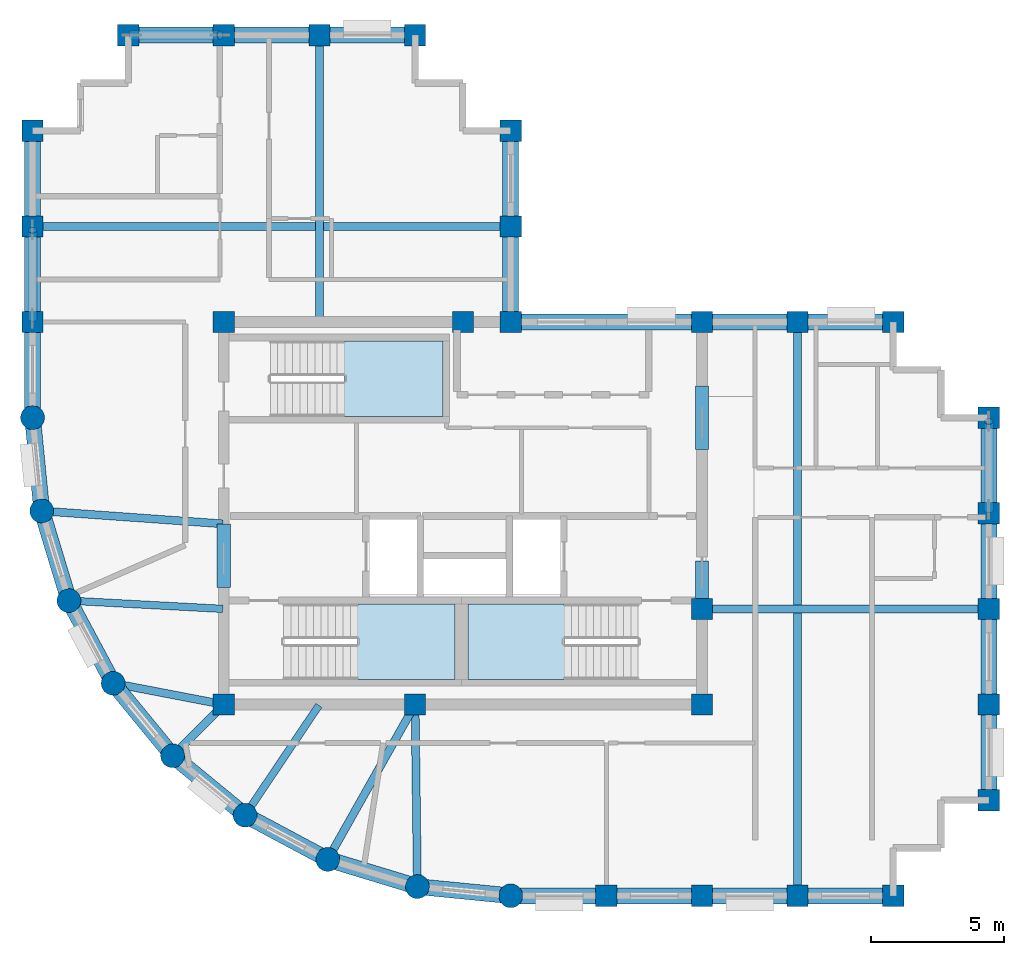
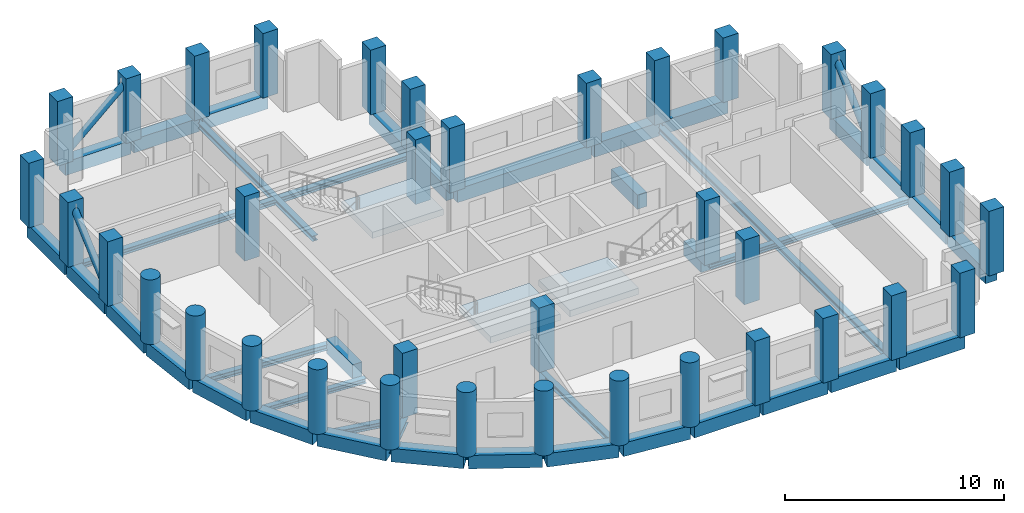
# One storey, part 1 of 7: 41 beams, 37 columns, 3 members, 3 slabs, 3 elements without a shape of their own.
"""IFC4 building model written with IfcOpenShell, lengths in metres."""

from ifc_helpers import new_model, si_unit, direction, frame, origin, origin_2d, place, context, subcontext, project, spatial, polyline, rectangle, circle, hollow_circle, i_section, outline, extrude, material, layer, layer_set, material_profile, profile_set, type_object, element, aggregate, save


model = new_model("IFC4")

# Units and contexts
model_context = context("Model", 3, precision=1e-05, world=origin(), true_north=direction((0.0, 1.0)))
body_context = subcontext(model_context, "Body", "Model", "MODEL_VIEW")
ifc_project = project(units=[si_unit("LENGTHUNIT", "METRE"), si_unit("AREAUNIT", "SQUARE_METRE"), si_unit("VOLUMEUNIT", "CUBIC_METRE"), si_unit("PLANEANGLEUNIT", "RADIAN"), si_unit("MASSUNIT", "GRAM", prefix="KILO")], contexts=[model_context])

# Site, building, storey
site_placement = place(None, origin())
site = spatial("IfcSite", under=ifc_project, at=site_placement, CompositionType="ELEMENT")
building_placement = place(site_placement, origin())
building = spatial("IfcBuilding", under=site, at=building_placement, Name="Solnavia Interchange Tower", CompositionType="ELEMENT")
storey_placement = place(building_placement, frame((0.0, 0.0, 235.39990234375)))
storey = spatial("IfcBuildingStorey", under=building, at=storey_placement, Name="L59", CompositionType="ELEMENT", Elevation=235.39990234375)

# Columns
ifc_material_1 = material(Name="Concrete C50/60", Category="concrete")
ifc_material_profile_1 = material_profile(ifc_material_1, rectangle(XDim=0.800048828125, YDim=0.800048828125, at=origin_2d()), Name="RC 800x800")
ifc_profile_set_1 = profile_set([ifc_material_profile_1], Name="Concrete C50/60")
column_type_1 = type_object("IfcColumnType", Name="Col-RC-800x800", PredefinedType="COLUMN", material=ifc_profile_set_1)
for number, where, z_axis, x_axis, name in (
    (1, (7.199951171875, 25.199951171875, 0.0), (0.0, 0.0, 1.0), (0.0, 1.0, 0.0), "COL-L59-02 Tower perim y column"),
    (2, (7.199951171875, 28.800048828125, 0.0), (0.0, 0.0, 1.0), (0.0, 1.0, 0.0), "COL-L59-03 Tower perim y column"),
    (3, (7.199951171875, 32.39990234375, 0.0), (0.0, 0.0, 1.0), (0.0, 1.0, 0.0), "COL-L59-04 Tower corner column"),
    (4, (10.800048828125, 36.0, 0.0), (0.0, 0.0, 1.0), (1.0, 0.0, 0.0), "COL-L59-08 Tower corner column"),
    (5, (14.39990234375, 10.800048828125, 0.0), (0.0, 0.0, 1.0), (1.0, 0.0, 0.0), "COL-L59-10 Tower interior column"),
    (6, (14.39990234375, 25.199951171875, 0.0), (0.0, 0.0, 1.0), (1.0, 0.0, 0.0), "COL-L59-11 Tower interior column"),
    (7, (14.39990234375, 36.0, 0.0), (0.0, 0.0, 1.0), (1.0, 0.0, 0.0), "COL-L59-12 Tower perim x column"),
    (8, (18.0, 36.0, 0.0), (0.0, 0.0, 1.0), (1.0, 0.0, 0.0), "COL-L59-14 Tower perim x column"),
    (9, (21.60009765625, 10.800048828125, 0.0), (0.0, 0.0, 1.0), (1.0, 0.0, 0.0), "COL-L59-16 Tower interior column"),
    (10, (21.60009765625, 36.0, 0.0), (0.0, 0.0, 1.0), (1.0, 0.0, 0.0), "COL-L59-17 Tower corner column"),
    (11, (23.39990234375, 25.199951171875, 0.0), (0.0, 0.0, 1.0), (1.0, 0.0, 0.0), "COL-L59-19 Tower interior column"),
    (12, (25.199951171875, 25.199951171875, 0.0), (0.0, 0.0, 1.0), (1.0, 0.0, 0.0), "COL-L59-21 Tower interior column"),
    (13, (25.199951171875, 28.800048828125, 0.0), (0.0, 0.0, 1.0), (0.0, 1.0, 0.0), "COL-L59-22 Tower perim y column"),
    (14, (25.199951171875, 32.39990234375, 0.0), (0.0, 0.0, 1.0), (0.0, 1.0, 0.0), "COL-L59-23 Tower corner column"),
    (15, (28.800048828125, 3.60009765625, 0.0), (0.0, 0.0, 1.0), (1.0, 0.0, 0.0), "COL-L59-24 Tower perim x column"),
    (16, (32.39990234375, 3.60009765625, 0.0), (0.0, 0.0, 1.0), (1.0, 0.0, 0.0), "COL-L59-25 Tower perim x column"),
    (17, (32.39990234375, 10.800048828125, 0.0), (0.0, 0.0, 1.0), (1.0, 0.0, 0.0), "COL-L59-26 Tower interior column"),
    (18, (32.39990234375, 14.39990234375, 0.0), (0.0, 0.0, 1.0), (1.0, 0.0, 0.0), "COL-L59-27 Tower interior column"),
    (19, (32.39990234375, 25.199951171875, 0.0), (0.0, 0.0, 1.0), (1.0, 0.0, 0.0), "COL-L59-28 Tower interior column"),
    (20, (36.0, 3.60009765625, 0.0), (0.0, 0.0, 1.0), (1.0, 0.0, 0.0), "COL-L59-29 Tower perim x column"),
    (21, (36.0, 25.199951171875, 0.0), (0.0, 0.0, 1.0), (1.0, 0.0, 0.0), "COL-L59-30 Tower perim x column"),
    (22, (39.60009765625, 3.60009765625, 0.0), (0.0, 0.0, 1.0), (1.0, 0.0, 0.0), "COL-L59-31 Tower corner column"),
    (23, (39.60009765625, 25.199951171875, 0.0), (0.0, 0.0, 1.0), (1.0, 0.0, 0.0), "COL-L59-32 Tower corner column"),
    (24, (43.199951171875, 7.199951171875, 0.0), (0.0, 0.0, 1.0), (1.0, 0.0, 0.0), "COL-L59-33 Tower corner column"),
    (25, (43.199951171875, 10.800048828125, 0.0), (0.0, 0.0, 1.0), (0.0, 1.0, 0.0), "COL-L59-34 Tower perim y column"),
    (26, (43.199951171875, 14.39990234375, 0.0), (0.0, 0.0, 1.0), (0.0, 1.0, 0.0), "COL-L59-35 Tower perim y column"),
    (27, (43.199951171875, 18.0, 0.0), (0.0, 0.0, 1.0), (0.0, 1.0, 0.0), "COL-L59-36 Tower perim y column"),
    (28, (43.199951171875, 21.60009765625, 0.0), (0.0, 0.0, 1.0), (0.0, 1.0, 0.0), "COL-L59-37 Tower corner column"),
):
    element("IfcColumn", number, at=place(storey_placement, frame(where, z_axis=z_axis, x_axis=x_axis)), inside=storey, type_object=column_type_1, Name=name, PredefinedType="COLUMN", context=body_context, shape_type="SweptSolid", body=[
        extrude(rectangle(XDim=0.800048828125, YDim=0.800048828125, at=origin_2d()), origin(), (0.0, 0.0, 1.0), 3.60009765625),
    ])
ifc_material_profile_2 = material_profile(ifc_material_1, circle(Radius=0.449951171875, at=origin_2d()), Name="RC D900")
ifc_profile_set_2 = profile_set([ifc_material_profile_2], Name="Concrete C50/60")
column_type_2 = type_object("IfcColumnType", Name="Col-RC-D900", PredefinedType="COLUMN", material=ifc_profile_set_2)
for number, where, z_axis, x_axis, name in (
    (29, (7.199951171875, 21.60009765625, 0.0), (0.0, 0.0, 1.0), (1.0, 0.0, 0.0), "COL-L59-01 Tower drum column"),
    (30, (7.5458984375, 18.087890625, 0.0), (0.0, 0.0, 1.0), (1.0, 0.0, 0.0), "COL-L59-05 Tower drum column"),
    (31, (8.570068359375, 14.7119140625, 0.0), (0.0, 0.0, 1.0), (1.0, 0.0, 0.0), "COL-L59-06 Tower drum column"),
    (32, (10.23388671875, 11.60009765625, 0.0), (0.0, 0.0, 1.0), (1.0, 0.0, 0.0), "COL-L59-07 Tower drum column"),
    (33, (12.471923828125, 8.8720703125, 0.0), (0.0, 0.0, 1.0), (1.0, 0.0, 0.0), "COL-L59-09 Tower drum column"),
    (34, (15.199951171875, 6.634033203125, 0.0), (0.0, 0.0, 1.0), (1.0, 0.0, 0.0), "COL-L59-13 Tower drum column"),
    (35, (18.31201171875, 4.969970703125, 0.0), (0.0, 0.0, 1.0), (1.0, 0.0, 0.0), "COL-L59-15 Tower drum column"),
    (36, (21.68798828125, 3.946044921875, 0.0), (0.0, 0.0, 1.0), (1.0, 0.0, 0.0), "COL-L59-18 Tower drum column"),
    (37, (25.199951171875, 3.60009765625, 0.0), (0.0, 0.0, 1.0), (1.0, 0.0, 0.0), "COL-L59-20 Tower drum column"),
):
    element("IfcColumn", number, at=place(storey_placement, frame(where, z_axis=z_axis, x_axis=x_axis)), inside=storey, type_object=column_type_2, Name=name, PredefinedType="COLUMN", context=body_context, shape_type="SweptSolid", body=[
        extrude(circle(Radius=0.449951171875, at=origin_2d()), origin(), (0.0, 0.0, 1.0), 3.60009765625),
    ])

# Beams
ifc_material_profile_3 = material_profile(ifc_material_1, rectangle(XDim=0.5, YDim=0.800048828125, at=origin_2d()), Name="RC 500x800")
ifc_profile_set_3 = profile_set([ifc_material_profile_3], Name="Concrete C50/60")
beam_type_1 = type_object("IfcBeamType", Name="Beam-Coupling-RC500x800", PredefinedType="LINTEL", material=ifc_profile_set_3)
beam_1_placement = place(storey_placement, frame((14.39990234375, 15.199951171875, -0.39990234375), z_axis=(0.0, 1.0, 0.0), x_axis=(-1.0, 0.0, 0.0)))
element("IfcBeam", 38, at=beam_1_placement, inside=storey, type_object=beam_type_1, Name="CPB-L59-W1 Core coupling lintel beam", PredefinedType="LINTEL", context=body_context, shape_type="SweptSolid", body=[
    extrude(rectangle(XDim=0.5, YDim=0.800048828125, at=origin_2d()), origin(), (0.0, 0.0, 1.0), 2.400146484375),
])
beam_2_placement = place(storey_placement, frame((32.39990234375, 14.60009765625, -0.39990234375), z_axis=(0.0, 1.0, 0.0), x_axis=(-1.0, 0.0, 0.0)))
element("IfcBeam", 39, at=beam_2_placement, inside=storey, type_object=beam_type_1, Name="CPB-L59-E1 Core coupling lintel beam", PredefinedType="LINTEL", context=body_context, shape_type="SweptSolid", body=[
    extrude(rectangle(XDim=0.5, YDim=0.800048828125, at=origin_2d()), origin(), (0.0, 0.0, 1.0), 1.599853515625),
])
beam_3_placement = place(storey_placement, frame((32.39990234375, 20.39990234375, -0.39990234375), z_axis=(0.0, 1.0, 0.0), x_axis=(-1.0, 0.0, 0.0)))
element("IfcBeam", 40, at=beam_3_placement, inside=storey, type_object=beam_type_1, Name="CPB-L59-E2 Core coupling lintel beam", PredefinedType="LINTEL", context=body_context, shape_type="SweptSolid", body=[
    extrude(rectangle(XDim=0.5, YDim=0.800048828125, at=origin_2d()), origin(), (0.0, 0.0, 1.0), 2.400146484375),
])
ifc_material_2 = material(Name="Steel S460", Category="steel")
ifc_material_profile_4 = material_profile(ifc_material_2, i_section(OverallWidth=0.300048828125, OverallDepth=0.300048828125, WebThickness=0.010986328125, FlangeThickness=0.01904296875, FilletRadius=0.027099609375, at=origin_2d()), Name="HEB 300")
ifc_profile_set_4 = profile_set([ifc_material_profile_4], Name="Steel S460")
beam_type_2 = type_object("IfcBeamType", Name="Beam-Girder-HEB300", PredefinedType="BEAM", material=ifc_profile_set_4)
beam_4_placement = place(storey_placement, frame((32.47998046875, 14.39990234375, -0.39990234375), z_axis=(1.0, 0.0, 0.0), x_axis=(0.0, 1.0, 0.0)))
element("IfcBeam", 41, at=beam_4_placement, inside=storey, type_object=beam_type_2, Name="GRD-L59-ES01 East wing spine girder", PredefinedType="BEAM", context=body_context, shape_type="SweptSolid", body=[
    extrude(i_section(OverallWidth=0.300048828125, OverallDepth=0.300048828125, WebThickness=0.010986328125, FlangeThickness=0.01904296875, FilletRadius=0.027099609375, at=origin_2d()), origin(), (0.0, 0.0, 1.0), 10.64013671875),
])
beam_5_placement = place(storey_placement, frame((18.0, 25.280029296875, -0.39990234375), z_axis=(0.0, 1.0, 0.0), x_axis=(-1.0, 0.0, 0.0)))
element("IfcBeam", 42, at=beam_5_placement, inside=storey, type_object=beam_type_2, Name="GRD-L59-NS03 North wing spine girder", PredefinedType="BEAM", context=body_context, shape_type="SweptSolid", body=[
    extrude(i_section(OverallWidth=0.300048828125, OverallDepth=0.300048828125, WebThickness=0.010986328125, FlangeThickness=0.01904296875, FilletRadius=0.027099609375, at=origin_2d()), origin(), (0.0, 0.0, 1.0), 10.639892578125),
])
beam_6_placement = place(storey_placement, frame((7.280029296875, 28.800048828125, -0.39990234375), z_axis=(1.0, 0.0, 0.0), x_axis=(0.0, 1.0, 0.0)))
element("IfcBeam", 43, at=beam_6_placement, inside=storey, type_object=beam_type_2, Name="GRD-L59-NW04 North wing primary floor girder", PredefinedType="BEAM", context=body_context, shape_type="SweptSolid", body=[
    extrude(i_section(OverallWidth=0.300048828125, OverallDepth=0.300048828125, WebThickness=0.010986328125, FlangeThickness=0.01904296875, FilletRadius=0.027099609375, at=origin_2d()), origin(), (0.0, 0.0, 1.0), 17.840087890625),
])
beam_7_placement = place(storey_placement, frame((10.3125, 11.5849609375, -0.39990234375), z_axis=(0.982057527796, -0.188581579428, 0.0), x_axis=(0.188581579428, 0.982057527796, 0.0)))
element("IfcBeam", 44, at=beam_7_placement, inside=storey, type_object=beam_type_2, Name="GRD-L59-DR07 Drum radial floor girder", PredefinedType="BEAM", context=body_context, shape_type="SweptSolid", body=[
    extrude(i_section(OverallWidth=0.300048828125, OverallDepth=0.300048828125, WebThickness=0.010986328125, FlangeThickness=0.01904296875, FilletRadius=0.027099609375, at=origin_2d()), origin(), (0.0, 0.0, 1.0), 4.1220703125),
])
beam_8_placement = place(storey_placement, frame((18.351318359375, 5.039794921875, -0.39990234375), z_axis=(0.491243158486, 0.871022479182, 0.0), x_axis=(-0.871022479182, 0.491243158486, 0.0)))
element("IfcBeam", 45, at=beam_8_placement, inside=storey, type_object=beam_type_2, Name="GRD-L59-DR10 Drum radial floor girder", PredefinedType="BEAM", context=body_context, shape_type="SweptSolid", body=[
    extrude(i_section(OverallWidth=0.300048828125, OverallDepth=0.300048828125, WebThickness=0.010986328125, FlangeThickness=0.01904296875, FilletRadius=0.027099609375, at=origin_2d()), origin(), (0.0, 0.0, 1.0), 6.5732421875),
])
ifc_material_3 = material(Name="Steel S355", Category="steel")
ifc_material_profile_5 = material_profile(ifc_material_3, i_section(OverallWidth=0.280029296875, OverallDepth=0.27001953125, WebThickness=0.008056640625, FlangeThickness=0.012939453125, FilletRadius=0.02392578125, at=origin_2d()), Name="HEA 280")
ifc_profile_set_5 = profile_set([ifc_material_profile_5], Name="Steel S355")
beam_type_3 = type_object("IfcBeamType", Name="Beam-Primary-HEA280", PredefinedType="BEAM", material=ifc_profile_set_5)
beam_9_placement = place(storey_placement, frame((8.64990234375, 14.707763671875, -0.385009765625), z_axis=(0.998570371303, -0.053452909696, 0.0), x_axis=(0.053452909696, 0.998570371303, 0.0)))
element("IfcBeam", 46, at=beam_9_placement, inside=storey, type_object=beam_type_3, Name="GRD-L59-DR06 Drum radial floor girder", PredefinedType="BEAM", context=body_context, shape_type="SweptSolid", body=[
    extrude(i_section(OverallWidth=0.280029296875, OverallDepth=0.27001953125, WebThickness=0.008056640625, FlangeThickness=0.012939453125, FilletRadius=0.02392578125, at=origin_2d()), origin(), (0.0, 0.0, 1.0), 5.71826171875),
])
beam_10_placement = place(storey_placement, frame((15.24462890625, 6.700439453125, -0.385009765625), z_axis=(0.557835474219, 0.829951555033, 0.0), x_axis=(-0.829951555033, 0.557835474219, 0.0)))
element("IfcBeam", 47, at=beam_10_placement, inside=storey, type_object=beam_type_3, Name="GRD-L59-DR09 Drum radial floor girder", PredefinedType="BEAM", context=body_context, shape_type="SweptSolid", body=[
    extrude(i_section(OverallWidth=0.280029296875, OverallDepth=0.27001953125, WebThickness=0.008056640625, FlangeThickness=0.012939453125, FilletRadius=0.02392578125, at=origin_2d()), origin(), (0.0, 0.0, 1.0), 4.899658203125),
])
ifc_material_profile_6 = material_profile(ifc_material_3, i_section(OverallWidth=0.300048828125, OverallDepth=0.31005859375, WebThickness=0.009033203125, FlangeThickness=0.015380859375, FilletRadius=0.027099609375, at=origin_2d()), Name="HEA 320")
ifc_profile_set_6 = profile_set([ifc_material_profile_6], Name="Steel S355")
beam_type_4 = type_object("IfcBeamType", Name="Beam-Primary-HEA320", PredefinedType="BEAM", material=ifc_profile_set_6)
beam_11_placement = place(storey_placement, frame((36.0, 3.679931640625, -0.40478515625), z_axis=(0.0, 1.0, 0.0), x_axis=(-1.0, 0.0, 0.0)))
element("IfcBeam", 48, at=beam_11_placement, inside=storey, type_object=beam_type_4, Name="GRD-L59-EW02 East wing primary floor girder", PredefinedType="BEAM", context=body_context, shape_type="SweptSolid", body=[
    extrude(i_section(OverallWidth=0.300048828125, OverallDepth=0.31005859375, WebThickness=0.009033203125, FlangeThickness=0.015380859375, FilletRadius=0.027099609375, at=origin_2d()), origin(), (0.0, 0.0, 1.0), 21.440185546875),
])
beam_12_placement = place(storey_placement, frame((7.625732421875, 18.082275390625, -0.40478515625), z_axis=(0.99747482749, -0.071020902015, 0.0), x_axis=(0.071020902015, 0.99747482749, 0.0)))
element("IfcBeam", 49, at=beam_12_placement, inside=storey, type_object=beam_type_4, Name="GRD-L59-DR05 Drum radial floor girder", PredefinedType="BEAM", context=body_context, shape_type="SweptSolid", body=[
    extrude(i_section(OverallWidth=0.300048828125, OverallDepth=0.31005859375, WebThickness=0.009033203125, FlangeThickness=0.015380859375, FilletRadius=0.027099609375, at=origin_2d()), origin(), (0.0, 0.0, 1.0), 6.75146484375),
])
beam_13_placement = place(storey_placement, frame((12.528564453125, 8.9287109375, -0.40478515625), z_axis=(0.707106781187, 0.707106781187, 0.0), x_axis=(-0.707106781187, 0.707106781187, 0.0)))
element("IfcBeam", 50, at=beam_13_placement, inside=storey, type_object=beam_type_4, Name="GRD-L59-DR08 Drum radial floor girder", PredefinedType="BEAM", context=body_context, shape_type="SweptSolid", body=[
    extrude(i_section(OverallWidth=0.300048828125, OverallDepth=0.31005859375, WebThickness=0.009033203125, FlangeThickness=0.015380859375, FilletRadius=0.027099609375, at=origin_2d()), origin(), (0.0, 0.0, 1.0), 2.6064453125),
])
beam_14_placement = place(storey_placement, frame((21.68701171875, 4.02587890625, -0.40478515625), z_axis=(-0.01283293513, 0.999917654498, 0.0), x_axis=(-0.999917654498, -0.01283293513, 0.0)))
element("IfcBeam", 51, at=beam_14_placement, inside=storey, type_object=beam_type_4, Name="GRD-L59-DR11 Drum radial floor girder", PredefinedType="BEAM", context=body_context, shape_type="SweptSolid", body=[
    extrude(i_section(OverallWidth=0.300048828125, OverallDepth=0.31005859375, WebThickness=0.009033203125, FlangeThickness=0.015380859375, FilletRadius=0.027099609375, at=origin_2d()), origin(), (0.0, 0.0, 1.0), 6.734619140625),
])
ifc_material_profile_7 = material_profile(ifc_material_1, rectangle(XDim=0.60009765625, YDim=0.75, at=origin_2d()), Name="RC 600x750")
ifc_profile_set_7 = profile_set([ifc_material_profile_7], Name="Concrete C50/60")
beam_type_5 = type_object("IfcBeamType", Name="Beam-Spandrel-RC600x750", PredefinedType="SPANDREL", material=ifc_profile_set_7)
beam_15_placement = place(storey_placement, frame((7.207763671875, 21.5205078125, -0.375), z_axis=(0.098040038117, -0.995182471171, 0.0), x_axis=(0.995182471171, 0.098040038117, 0.0)))
element("IfcBeam", 52, at=beam_15_placement, inside=storey, type_object=beam_type_5, Name="SPB-L59-01 Framed-tube perimeter spandrel beam", PredefinedType="SPANDREL", context=body_context, shape_type="SweptSolid", body=[
    extrude(rectangle(XDim=0.60009765625, YDim=0.75, at=origin_2d()), origin(), (0.0, 0.0, 1.0), 3.369140625),
])
beam_16_placement = place(storey_placement, frame((7.569091796875, 18.011474609375, -0.375), z_axis=(0.290319223646, -0.956929855518, 0.0), x_axis=(0.956929855518, 0.290319223646, 0.0)))
element("IfcBeam", 53, at=beam_16_placement, inside=storey, type_object=beam_type_5, Name="SPB-L59-02 Framed-tube perimeter spandrel beam", PredefinedType="SPANDREL", context=body_context, shape_type="SweptSolid", body=[
    extrude(rectangle(XDim=0.60009765625, YDim=0.75, at=origin_2d()), origin(), (0.0, 0.0, 1.0), 3.367919921875),
])
beam_17_placement = place(storey_placement, frame((8.607666015625, 14.6416015625, -0.375), z_axis=(0.471509422952, -0.881861023102, 0.0), x_axis=(0.881861023102, 0.471509422952, 0.0)))
element("IfcBeam", 54, at=beam_17_placement, inside=storey, type_object=beam_type_5, Name="SPB-L59-03 Framed-tube perimeter spandrel beam", PredefinedType="SPANDREL", context=body_context, shape_type="SweptSolid", body=[
    extrude(rectangle(XDim=0.60009765625, YDim=0.75, at=origin_2d()), origin(), (0.0, 0.0, 1.0), 3.369140625),
])
for number, where, z_axis, x_axis, name in (
    (55, (10.28466796875, 11.5380859375, -0.375), (0.634298841675, -0.773087950656, 0.0), (0.773087950656, 0.634298841675, 0.0), "SPB-L59-04 Framed-tube perimeter spandrel beam"),
    (56, (12.53369140625, 8.8212890625, -0.375), (0.773152644452, -0.634219984214, 0.0), (0.634219984214, 0.773152644452, 0.0), "SPB-L59-05 Framed-tube perimeter spandrel beam"),
):
    element("IfcBeam", number, at=place(storey_placement, frame(where, z_axis=z_axis, x_axis=x_axis)), inside=storey, type_object=beam_type_5, Name=name, PredefinedType="SPANDREL", context=body_context, shape_type="SweptSolid", body=[
        extrude(rectangle(XDim=0.60009765625, YDim=0.75, at=origin_2d()), origin(), (0.0, 0.0, 1.0), 3.36865234375),
    ])
beam_18_placement = place(storey_placement, frame((15.2705078125, 6.59619140625, -0.375), z_axis=(0.881875044348, -0.47148319817, 0.0), x_axis=(0.47148319817, 0.881875044348, 0.0)))
element("IfcBeam", 57, at=beam_18_placement, inside=storey, type_object=beam_type_5, Name="SPB-L59-06 Framed-tube perimeter spandrel beam", PredefinedType="SPANDREL", context=body_context, shape_type="SweptSolid", body=[
    extrude(rectangle(XDim=0.60009765625, YDim=0.75, at=origin_2d()), origin(), (0.0, 0.0, 1.0), 3.368896484375),
])
beam_19_placement = place(storey_placement, frame((18.388671875, 4.94677734375, -0.375), z_axis=(0.956943884494, -0.290272978297, 0.0), x_axis=(0.290272978297, 0.956943884494, 0.0)))
element("IfcBeam", 58, at=beam_19_placement, inside=storey, type_object=beam_type_5, Name="SPB-L59-07 Framed-tube perimeter spandrel beam", PredefinedType="SPANDREL", context=body_context, shape_type="SweptSolid", body=[
    extrude(rectangle(XDim=0.60009765625, YDim=0.75, at=origin_2d()), origin(), (0.0, 0.0, 1.0), 3.36767578125),
])
beam_20_placement = place(storey_placement, frame((21.767578125, 3.938232421875, -0.375), z_axis=(0.995181774609, -0.098047108501, 0.0), x_axis=(0.098047108501, 0.995181774609, 0.0)))
element("IfcBeam", 59, at=beam_20_placement, inside=storey, type_object=beam_type_5, Name="SPB-L59-08 Framed-tube perimeter spandrel beam", PredefinedType="SPANDREL", context=body_context, shape_type="SweptSolid", body=[
    extrude(rectangle(XDim=0.60009765625, YDim=0.75, at=origin_2d()), origin(), (0.0, 0.0, 1.0), 3.368896484375),
])
beam_21_placement = place(storey_placement, frame((25.280029296875, 3.60009765625, -0.375), z_axis=(1.0, 0.0, 0.0), x_axis=(0.0, 1.0, 0.0)))
element("IfcBeam", 60, at=beam_21_placement, inside=storey, type_object=beam_type_5, Name="SPB-L59-09 Framed-tube perimeter spandrel beam", PredefinedType="SPANDREL", context=body_context, shape_type="SweptSolid", body=[
    extrude(rectangle(XDim=0.60009765625, YDim=0.75, at=origin_2d()), origin(), (0.0, 0.0, 1.0), 3.43994140625),
])
beam_22_placement = place(storey_placement, frame((28.8798828125, 3.60009765625, -0.375), z_axis=(1.0, 0.0, 0.0), x_axis=(0.0, 1.0, 0.0)))
element("IfcBeam", 61, at=beam_22_placement, inside=storey, type_object=beam_type_5, Name="SPB-L59-10 Framed-tube perimeter spandrel beam", PredefinedType="SPANDREL", context=body_context, shape_type="SweptSolid", body=[
    extrude(rectangle(XDim=0.60009765625, YDim=0.75, at=origin_2d()), origin(), (0.0, 0.0, 1.0), 3.440185546875),
])
for number, where, z_axis, x_axis, name in (
    (62, (32.47998046875, 3.60009765625, -0.375), (1.0, 0.0, 0.0), (0.0, 1.0, 0.0), "SPB-L59-11 Framed-tube perimeter spandrel beam"),
    (63, (36.080078125, 3.60009765625, -0.375), (1.0, 0.0, 0.0), (0.0, 1.0, 0.0), "SPB-L59-12 Framed-tube perimeter spandrel beam"),
    (64, (43.199951171875, 7.280029296875, -0.375), (0.0, 1.0, 0.0), (-1.0, 0.0, 0.0), "SPB-L59-13 Framed-tube perimeter spandrel beam"),
):
    element("IfcBeam", number, at=place(storey_placement, frame(where, z_axis=z_axis, x_axis=x_axis)), inside=storey, type_object=beam_type_5, Name=name, PredefinedType="SPANDREL", context=body_context, shape_type="SweptSolid", body=[
        extrude(rectangle(XDim=0.60009765625, YDim=0.75, at=origin_2d()), origin(), (0.0, 0.0, 1.0), 3.43994140625),
    ])
beam_23_placement = place(storey_placement, frame((43.199951171875, 10.8798828125, -0.375), z_axis=(0.0, 1.0, 0.0), x_axis=(-1.0, 0.0, 0.0)))
element("IfcBeam", 65, at=beam_23_placement, inside=storey, type_object=beam_type_5, Name="SPB-L59-14 Framed-tube perimeter spandrel beam", PredefinedType="SPANDREL", context=body_context, shape_type="SweptSolid", body=[
    extrude(rectangle(XDim=0.60009765625, YDim=0.75, at=origin_2d()), origin(), (0.0, 0.0, 1.0), 3.440185546875),
])
for number, where, z_axis, x_axis, name in (
    (66, (43.199951171875, 14.47998046875, -0.375), (0.0, 1.0, 0.0), (-1.0, 0.0, 0.0), "SPB-L59-15 Framed-tube perimeter spandrel beam"),
    (67, (43.199951171875, 18.080078125, -0.375), (0.0, 1.0, 0.0), (-1.0, 0.0, 0.0), "SPB-L59-16 Framed-tube perimeter spandrel beam"),
    (68, (39.52001953125, 25.199951171875, -0.375), (-1.0, 0.0, 0.0), (0.0, -1.0, 0.0), "SPB-L59-17 Framed-tube perimeter spandrel beam"),
    (69, (35.919921875, 25.199951171875, -0.375), (-1.0, 0.0, 0.0), (0.0, -1.0, 0.0), "SPB-L59-18 Framed-tube perimeter spandrel beam"),
):
    element("IfcBeam", number, at=place(storey_placement, frame(where, z_axis=z_axis, x_axis=x_axis)), inside=storey, type_object=beam_type_5, Name=name, PredefinedType="SPANDREL", context=body_context, shape_type="SweptSolid", body=[
        extrude(rectangle(XDim=0.60009765625, YDim=0.75, at=origin_2d()), origin(), (0.0, 0.0, 1.0), 3.43994140625),
    ])
beam_24_placement = place(storey_placement, frame((32.320068359375, 25.199951171875, -0.375), z_axis=(-1.0, 0.0, 0.0), x_axis=(0.0, -1.0, 0.0)))
element("IfcBeam", 70, at=beam_24_placement, inside=storey, type_object=beam_type_5, Name="SPB-L59-19 Framed-tube perimeter spandrel beam", PredefinedType="SPANDREL", context=body_context, shape_type="SweptSolid", body=[
    extrude(rectangle(XDim=0.60009765625, YDim=0.75, at=origin_2d()), origin(), (0.0, 0.0, 1.0), 7.0400390625),
])
beam_25_placement = place(storey_placement, frame((25.199951171875, 25.280029296875, -0.375), z_axis=(0.0, 1.0, 0.0), x_axis=(-1.0, 0.0, 0.0)))
element("IfcBeam", 71, at=beam_25_placement, inside=storey, type_object=beam_type_5, Name="SPB-L59-20 Framed-tube perimeter spandrel beam", PredefinedType="SPANDREL", context=body_context, shape_type="SweptSolid", body=[
    extrude(rectangle(XDim=0.60009765625, YDim=0.75, at=origin_2d()), origin(), (0.0, 0.0, 1.0), 3.43994140625),
])
beam_26_placement = place(storey_placement, frame((25.199951171875, 28.8798828125, -0.375), z_axis=(0.0, 1.0, 0.0), x_axis=(-1.0, 0.0, 0.0)))
element("IfcBeam", 72, at=beam_26_placement, inside=storey, type_object=beam_type_5, Name="SPB-L59-21 Framed-tube perimeter spandrel beam", PredefinedType="SPANDREL", context=body_context, shape_type="SweptSolid", body=[
    extrude(rectangle(XDim=0.60009765625, YDim=0.75, at=origin_2d()), origin(), (0.0, 0.0, 1.0), 3.440185546875),
])
for number, where, z_axis, x_axis, name in (
    (73, (21.52001953125, 36.0, -0.375), (-1.0, 0.0, 0.0), (0.0, -1.0, 0.0), "SPB-L59-22 Framed-tube perimeter spandrel beam"),
    (74, (17.919921875, 36.0, -0.375), (-1.0, 0.0, 0.0), (0.0, -1.0, 0.0), "SPB-L59-23 Framed-tube perimeter spandrel beam"),
):
    element("IfcBeam", number, at=place(storey_placement, frame(where, z_axis=z_axis, x_axis=x_axis)), inside=storey, type_object=beam_type_5, Name=name, PredefinedType="SPANDREL", context=body_context, shape_type="SweptSolid", body=[
        extrude(rectangle(XDim=0.60009765625, YDim=0.75, at=origin_2d()), origin(), (0.0, 0.0, 1.0), 3.43994140625),
    ])
for number, where, z_axis, x_axis, name in (
    (75, (14.320068359375, 36.0, -0.375), (-1.0, 0.0, 0.0), (0.0, -1.0, 0.0), "SPB-L59-24 Framed-tube perimeter spandrel beam"),
    (76, (7.199951171875, 32.320068359375, -0.375), (0.0, -1.0, 0.0), (1.0, 0.0, 0.0), "SPB-L59-25 Framed-tube perimeter spandrel beam"),
):
    element("IfcBeam", number, at=place(storey_placement, frame(where, z_axis=z_axis, x_axis=x_axis)), inside=storey, type_object=beam_type_5, Name=name, PredefinedType="SPANDREL", context=body_context, shape_type="SweptSolid", body=[
        extrude(rectangle(XDim=0.60009765625, YDim=0.75, at=origin_2d()), origin(), (0.0, 0.0, 1.0), 3.440185546875),
    ])
beam_27_placement = place(storey_placement, frame((7.199951171875, 28.719970703125, -0.375), z_axis=(0.0, -1.0, 0.0), x_axis=(1.0, 0.0, 0.0)))
element("IfcBeam", 77, at=beam_27_placement, inside=storey, type_object=beam_type_5, Name="SPB-L59-26 Framed-tube perimeter spandrel beam", PredefinedType="SPANDREL", context=body_context, shape_type="SweptSolid", body=[
    extrude(rectangle(XDim=0.60009765625, YDim=0.75, at=origin_2d()), origin(), (0.0, 0.0, 1.0), 3.43994140625),
])
beam_28_placement = place(storey_placement, frame((7.199951171875, 25.1201171875, -0.375), z_axis=(0.0, -1.0, 0.0), x_axis=(1.0, 0.0, 0.0)))
element("IfcBeam", 78, at=beam_28_placement, inside=storey, type_object=beam_type_5, Name="SPB-L59-27 Framed-tube perimeter spandrel beam", PredefinedType="SPANDREL", context=body_context, shape_type="SweptSolid", body=[
    extrude(rectangle(XDim=0.60009765625, YDim=0.75, at=origin_2d()), origin(), (0.0, 0.0, 1.0), 3.440185546875),
])

# Members
ifc_material_profile_8 = material_profile(ifc_material_2, hollow_circle(Radius=0.177734375, WallThickness=0.01611328125, at=origin_2d()), Name="CHS 355.6x16")
ifc_profile_set_8 = profile_set([ifc_material_profile_8], Name="Steel S460")
member_type = type_object("IfcMemberType", Name="Brace-Perim-CHS355", PredefinedType="BRACE", material=ifc_profile_set_8)
member_placement = place(storey_placement, frame((7.199951171875, 25.340087890625, 0.18017578125), z_axis=(0.0, 0.743054991638, 0.669230363479), x_axis=(-1.0, 0.0, 0.0)))
element("IfcMember", 79, at=member_placement, inside=storey, type_object=member_type, Name="BRC-L59-01 Perimeter tube diagonal brace", PredefinedType="BRACE", context=body_context, shape_type="SweptSolid", body=[
    extrude(hollow_circle(Radius=0.177734375, WallThickness=0.01611328125, at=origin_2d()), origin(), (0.0, 0.0, 1.0), 4.4677734375),
])
for number, where, z_axis, x_axis, name in (
    (80, (43.199951171875, 18.139892578125, 0.18017578125), (0.0, 0.74307946371, 0.669203190827), (-1.0, 0.0, 0.0), "BRC-L59-02 Perimeter tube diagonal brace"),
    (81, (10.93994140625, 36.0, 0.18017578125), (0.74307946371, 0.0, 0.669203190827), (0.0, 1.0, 0.0), "BRC-L59-03 Perimeter tube diagonal brace"),
):
    element("IfcMember", number, at=place(storey_placement, frame(where, z_axis=z_axis, x_axis=x_axis)), inside=storey, type_object=member_type, Name=name, PredefinedType="BRACE", context=body_context, shape_type="SweptSolid", body=[
        extrude(hollow_circle(Radius=0.177734375, WallThickness=0.01611328125, at=origin_2d()), origin(), (0.0, 0.0, 1.0), 4.468017578125),
    ])

# Stair, slab
ifc_material_4 = material(Name="Concrete C40/50", Category="concrete")
stair_type = type_object("IfcStairType", Name="Stair-Dogleg-RC", PredefinedType="HALF_TURN_STAIR", material=ifc_material_4)
stair_1_placement = place(storey_placement, origin())
stair_1 = element("IfcStair", 82, at=stair_1_placement, inside=storey, type_object=stair_type, Name="L59 Core exit stair 1", PredefinedType="HALF_TURN_STAIR")
ifc_layer = layer(ifc_material_4, 0.35009765625)
ifc_layer_set = layer_set([ifc_layer], Name="Concrete C40/50")
slab_type = type_object("IfcSlabType", Name="Slab-StairLanding-350", PredefinedType="LANDING", material=ifc_layer_set)
slab_1_placement = place(storey_placement, frame((0.0, 0.0, 1.4501953125)))
slab_1 = element("IfcSlab", 83, at=slab_1_placement, type_object=slab_type, Name="ST-1 landing 1", PredefinedType="LANDING", context=body_context, shape_type="SweptSolid", body=[
    extrude(outline(polyline([(19.427978515625, 11.75), (23.10009765625, 11.75), (23.10009765625, 14.590087890625), (19.427978515625, 14.590087890625), (19.427978515625, 11.75)])), origin(), (0.0, 0.0, 1.0), 0.349853515625),
])
aggregate(stair_1, [slab_1])

stair_2_placement = place(storey_placement, origin())
stair_2 = element("IfcStair", 84, at=stair_2_placement, inside=storey, type_object=stair_type, Name="L59 Core exit stair 2", PredefinedType="HALF_TURN_STAIR")
slab_2_placement = place(storey_placement, frame((0.0, 0.0, 1.4501953125)))
slab_2 = element("IfcSlab", 85, at=slab_2_placement, type_object=slab_type, Name="ST-2 landing 1", PredefinedType="LANDING", context=body_context, shape_type="SweptSolid", body=[
    extrude(outline(polyline([(23.60009765625, 11.75), (27.221923828125, 11.75), (27.221923828125, 14.590087890625), (23.60009765625, 14.590087890625), (23.60009765625, 11.75)])), origin(), (0.0, 0.0, 1.0), 0.349853515625),
])
aggregate(stair_2, [slab_2])

stair_3_placement = place(storey_placement, origin())
stair_3 = element("IfcStair", 86, at=stair_3_placement, inside=storey, type_object=stair_type, Name="L59 Core exit stair 3", PredefinedType="HALF_TURN_STAIR")
slab_3_placement = place(storey_placement, frame((0.0, 0.0, 1.4501953125)))
slab_3 = element("IfcSlab", 87, at=slab_3_placement, type_object=slab_type, Name="ST-3 landing 1", PredefinedType="LANDING", context=body_context, shape_type="SweptSolid", body=[
    extrude(outline(polyline([(18.927978515625, 21.64990234375), (22.64990234375, 21.64990234375), (22.64990234375, 24.489990234375), (18.927978515625, 24.489990234375), (18.927978515625, 21.64990234375)])), origin(), (0.0, 0.0, 1.0), 0.349853515625),
])
aggregate(stair_3, [slab_3])

save(model, "model.ifc")
